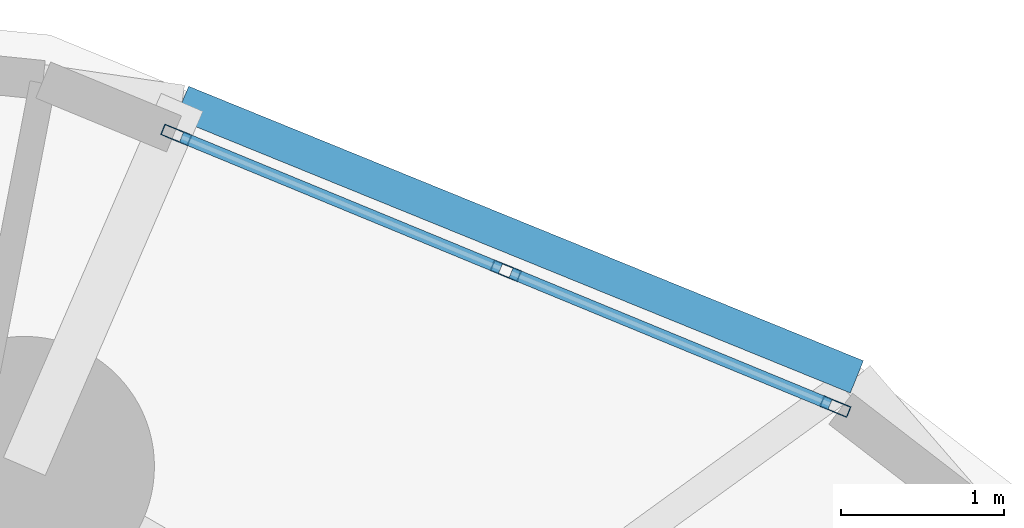
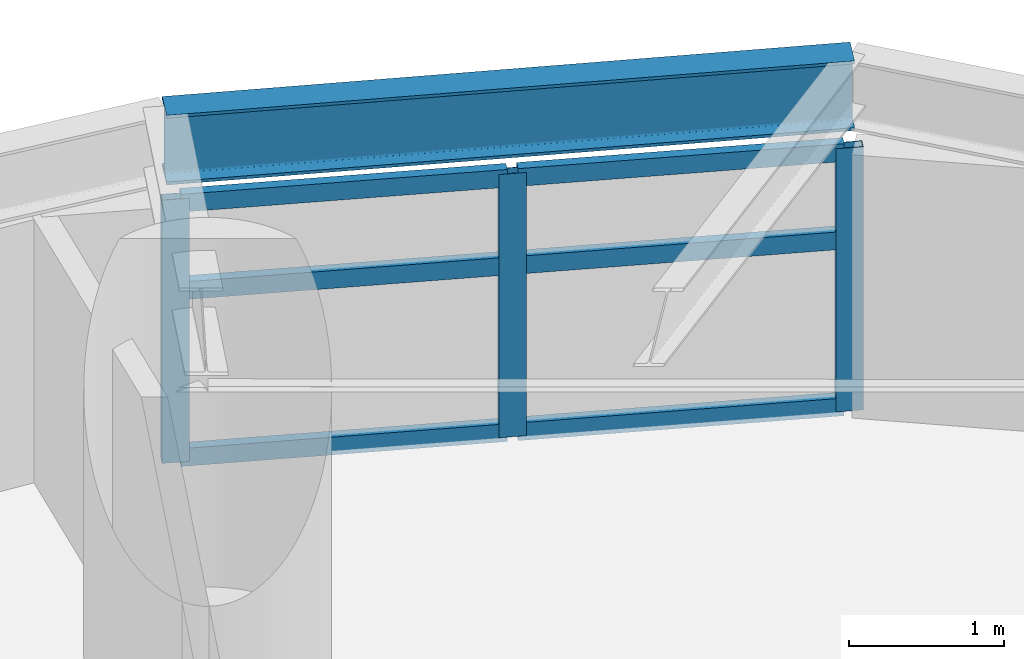
# One storey, part 5 of 15: 9 members, 1 beam, 1 element without a shape of its own.
"""IFC4 building model written with IfcOpenShell, lengths in metres."""

from ifc_helpers import new_model, si_unit, direction, frame, origin, origin_2d, place, context, subcontext, project, spatial, hollow_rectangle, i_section, extrude, material, layer, layer_set, material_profile, profile_set, type_object, element, aggregate, save


model = new_model("IFC4")

# Units and contexts
model_context = context("Model", 3, precision=1e-05, world=origin(), true_north=direction((0.0, 1.0)))
body_context = subcontext(model_context, "Body", "Model", "MODEL_VIEW")
ifc_project = project(units=[si_unit("LENGTHUNIT", "METRE"), si_unit("AREAUNIT", "SQUARE_METRE"), si_unit("VOLUMEUNIT", "CUBIC_METRE"), si_unit("PLANEANGLEUNIT", "RADIAN"), si_unit("MASSUNIT", "GRAM", prefix="KILO")], contexts=[model_context])

# Site, building, storey
site_placement = place(None, origin())
site = spatial("IfcSite", under=ifc_project, at=site_placement, CompositionType="ELEMENT")
building_placement = place(site_placement, origin())
building = spatial("IfcBuilding", under=site, at=building_placement, Name="Cununo Teusaquillo Station Towers", CompositionType="ELEMENT")
storey_placement = place(building_placement, frame((0.0, 0.0, 24.909912109375)))
storey = spatial("IfcBuildingStorey", under=building, at=storey_placement, Name="L06", CompositionType="ELEMENT", Elevation=24.909912109375)

# Beam
ifc_material_1 = material(Name="Steel ASTM A572 Grade 50", Category="steel")
ifc_material_profile_1 = material_profile(ifc_material_1, i_section(OverallWidth=0.214111328125, OverallDepth=0.549072265625, WebThickness=0.0146484375, FlangeThickness=0.023681640625, FilletRadius=0.014892578125, at=origin_2d()), Name="W21X93")
ifc_profile_set_1 = profile_set([ifc_material_profile_1], Name="Steel ASTM A572 Grade 50")
beam_type = type_object("IfcBeamType", Name="BM-RING-Z1", PredefinedType="SPANDREL", material=ifc_profile_set_1)
beam_placement = place(storey_placement, frame((63.41162109375, 38.186279296875, 2.37548828125), z_axis=(-0.926288954553, 0.376813976218, 0.0), x_axis=(-0.376813976218, -0.926288954553, 0.0)))
element("IfcBeam", 1, at=beam_placement, inside=storey, type_object=beam_type, Name="L06 Tower B Spandrel Ring Beam 02", PredefinedType="SPANDREL", context=body_context, shape_type="SweptSolid", body=[
    extrude(i_section(OverallWidth=0.214111328125, OverallDepth=0.549072265625, WebThickness=0.0146484375, FlangeThickness=0.023681640625, FilletRadius=0.014892578125, at=origin_2d()), origin(), (0.0, 0.0, 1.0), 4.48095703125),
])

# Curtain wall, members
ifc_material_2 = material(Name="Ceramic-fritted dark low-E double glazing", Category="glass")
ifc_layer = layer(ifc_material_2, 0.179931640625)
ifc_layer_set = layer_set([ifc_layer], Name="Ceramic-fritted dark low-E double glazing")
curtain_wall_type = type_object("IfcCurtainWallType", Name="CW-SYS-02", PredefinedType="USERDEFINED", material=ifc_layer_set)
curtain_wall_placement = place(storey_placement, origin())
curtain_wall = element("IfcCurtainWall", 2, at=curtain_wall_placement, inside=storey, type_object=curtain_wall_type, Name="L06 Tower B Facade Curtain Wall C01", ObjectType="FRITTED GLAZING", PredefinedType="USERDEFINED")
ifc_material_3 = material(Name="Anodised dark bronze aluminium EN AW-6063-T6", Category="aluminium")
ifc_material_profile_2 = material_profile(ifc_material_3, hollow_rectangle(XDim=0.070068359375, YDim=0.179931640625, WallThickness=0.00390625, at=origin_2d()), Name="CW-MULL-70x180")
ifc_profile_set_2 = profile_set([ifc_material_profile_2], Name="Anodised dark bronze aluminium EN AW-6063-T6")
member_type_1 = type_object("IfcMemberType", Name="CWM-180", PredefinedType="MULLION", material=ifc_profile_set_2)
member_1_placement = place(storey_placement, frame((59.225341796875, 39.6748046875, 0.0), z_axis=(0.0, 0.0, 1.0), x_axis=(0.38112231431, 0.924524624623, 0.0)))
member_1 = element("IfcMember", 3, at=member_1_placement, type_object=member_type_1, Name="CW-02 mullion 1", PredefinedType="MULLION", context=body_context, shape_type="SweptSolid", body=[
    extrude(hollow_rectangle(XDim=0.070068359375, YDim=0.179931640625, WallThickness=0.00390625, at=origin_2d()), origin(), (0.0, 0.0, 1.0), 2.072998046875),
])
member_2_placement = place(storey_placement, frame((61.25244140625, 38.839111328125, 0.0), z_axis=(0.0, 0.0, 1.0), x_axis=(0.38112231431, 0.924524624623, 0.0)))
member_2 = element("IfcMember", 4, at=member_2_placement, type_object=member_type_1, Name="CW-02 mullion 2", PredefinedType="MULLION", context=body_context, shape_type="SweptSolid", body=[
    extrude(hollow_rectangle(XDim=0.070068359375, YDim=0.179931640625, WallThickness=0.00390625, at=origin_2d()), origin(), (0.0, 0.0, 1.0), 2.072998046875),
])
member_3_placement = place(storey_placement, frame((63.279541015625, 38.00341796875, 0.0), z_axis=(0.0, 0.0, 1.0), x_axis=(0.38112231431, 0.924524624623, 0.0)))
member_3 = element("IfcMember", 5, at=member_3_placement, type_object=member_type_1, Name="CW-02 mullion 3", PredefinedType="MULLION", context=body_context, shape_type="SweptSolid", body=[
    extrude(hollow_rectangle(XDim=0.070068359375, YDim=0.179931640625, WallThickness=0.00390625, at=origin_2d()), origin(), (0.0, 0.0, 1.0), 2.072998046875),
])
ifc_material_4 = material(Name="Anodised dark bronze aluminium EN AW-6063-T6", Category="aluminium")
ifc_material_profile_3 = material_profile(ifc_material_4, hollow_rectangle(XDim=0.070068359375, YDim=0.139892578125, WallThickness=0.00390625, at=origin_2d()), Name="CW-TRAN-70x140")
ifc_profile_set_3 = profile_set([ifc_material_profile_3], Name="Anodised dark bronze aluminium EN AW-6063-T6")
member_type_2 = type_object("IfcMemberType", Name="CWT-140", PredefinedType="USERDEFINED", material=ifc_profile_set_3)
member_4_placement = place(storey_placement, frame((59.257568359375, 39.66162109375, 0.03515625), z_axis=(0.924506500056, -0.381166277829, 0.0), x_axis=(0.381166277829, 0.924506500056, 0.0)))
member_4 = element("IfcMember", 6, at=member_4_placement, type_object=member_type_2, Name="CW-02 transom 1.1", ObjectType="TRANSOM", PredefinedType="USERDEFINED", context=body_context, shape_type="SweptSolid", body=[
    extrude(hollow_rectangle(XDim=0.070068359375, YDim=0.139892578125, WallThickness=0.00390625, at=origin_2d()), origin(), (0.0, 0.0, 1.0), 2.12255859375),
])
member_5_placement = place(storey_placement, frame((59.257568359375, 39.66162109375, 1.34716796875), z_axis=(0.924506500056, -0.381166277829, 0.0), x_axis=(0.381166277829, 0.924506500056, 0.0)))
member_5 = element("IfcMember", 7, at=member_5_placement, type_object=member_type_2, Name="CW-02 transom 1.2", ObjectType="TRANSOM", PredefinedType="USERDEFINED", context=body_context, shape_type="SweptSolid", body=[
    extrude(hollow_rectangle(XDim=0.070068359375, YDim=0.139892578125, WallThickness=0.00390625, at=origin_2d()), origin(), (0.0, 0.0, 1.0), 2.12255859375),
])
member_6_placement = place(storey_placement, frame((59.257568359375, 39.66162109375, 2.0380859375), z_axis=(0.924506500056, -0.381166277829, 0.0), x_axis=(0.381166277829, 0.924506500056, 0.0)))
member_6 = element("IfcMember", 8, at=member_6_placement, type_object=member_type_2, Name="CW-02 transom 1.3", ObjectType="TRANSOM", PredefinedType="USERDEFINED", context=body_context, shape_type="SweptSolid", body=[
    extrude(hollow_rectangle(XDim=0.070068359375, YDim=0.139892578125, WallThickness=0.00390625, at=origin_2d()), origin(), (0.0, 0.0, 1.0), 2.12255859375),
])
member_7_placement = place(storey_placement, frame((61.28466796875, 38.825927734375, 0.03515625), z_axis=(0.924506500056, -0.381166277829, 0.0), x_axis=(0.381166277829, 0.924506500056, 0.0)))
member_7 = element("IfcMember", 9, at=member_7_placement, type_object=member_type_2, Name="CW-02 transom 2.1", ObjectType="TRANSOM", PredefinedType="USERDEFINED", context=body_context, shape_type="SweptSolid", body=[
    extrude(hollow_rectangle(XDim=0.070068359375, YDim=0.139892578125, WallThickness=0.00390625, at=origin_2d()), origin(), (0.0, 0.0, 1.0), 2.12255859375),
])
member_8_placement = place(storey_placement, frame((61.28466796875, 38.825927734375, 1.34716796875), z_axis=(0.924506500056, -0.381166277829, 0.0), x_axis=(0.381166277829, 0.924506500056, 0.0)))
member_8 = element("IfcMember", 10, at=member_8_placement, type_object=member_type_2, Name="CW-02 transom 2.2", ObjectType="TRANSOM", PredefinedType="USERDEFINED", context=body_context, shape_type="SweptSolid", body=[
    extrude(hollow_rectangle(XDim=0.070068359375, YDim=0.139892578125, WallThickness=0.00390625, at=origin_2d()), origin(), (0.0, 0.0, 1.0), 2.12255859375),
])
member_9_placement = place(storey_placement, frame((61.28466796875, 38.825927734375, 2.0380859375), z_axis=(0.924506500056, -0.381166277829, 0.0), x_axis=(0.381166277829, 0.924506500056, 0.0)))
member_9 = element("IfcMember", 11, at=member_9_placement, type_object=member_type_2, Name="CW-02 transom 2.3", ObjectType="TRANSOM", PredefinedType="USERDEFINED", context=body_context, shape_type="SweptSolid", body=[
    extrude(hollow_rectangle(XDim=0.070068359375, YDim=0.139892578125, WallThickness=0.00390625, at=origin_2d()), origin(), (0.0, 0.0, 1.0), 2.12255859375),
])
aggregate(curtain_wall, [member_1, member_2, member_3, member_4, member_5, member_6, member_7, member_8, member_9])

save(model, "model.ifc")
